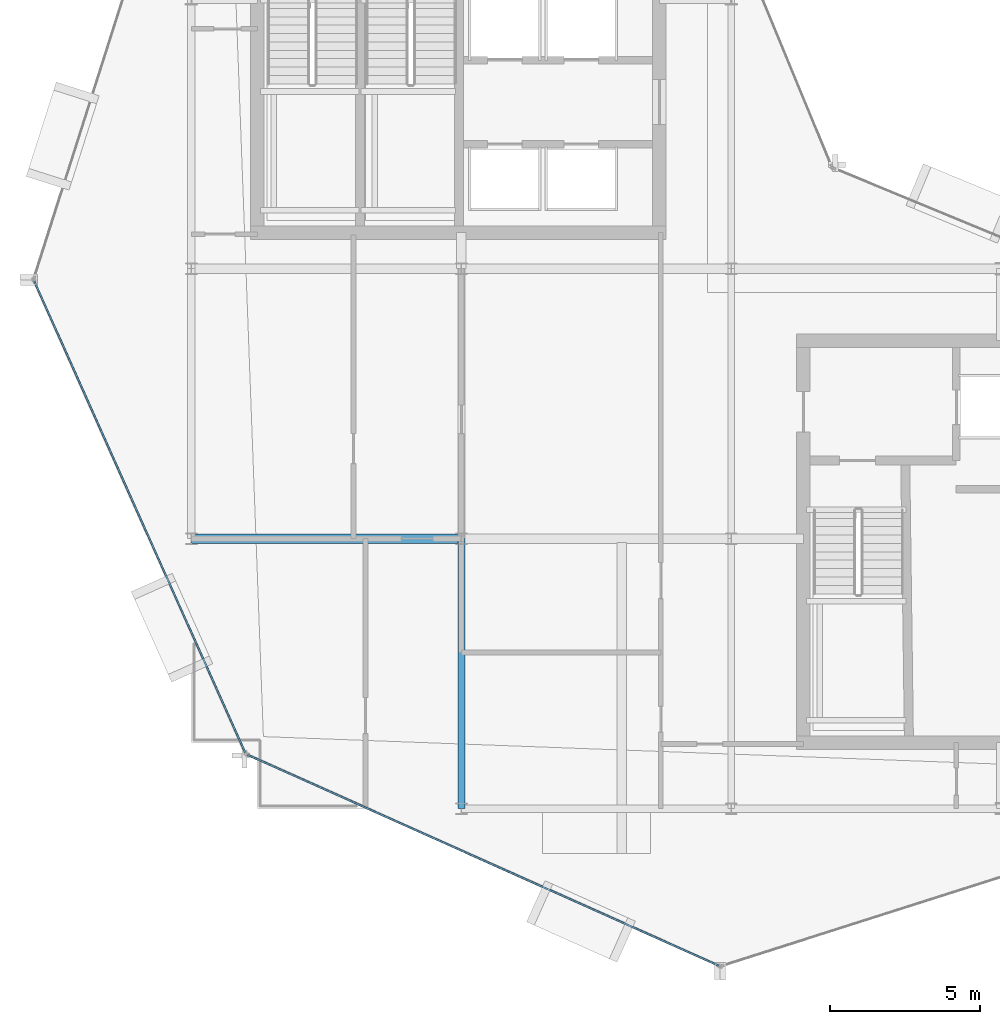
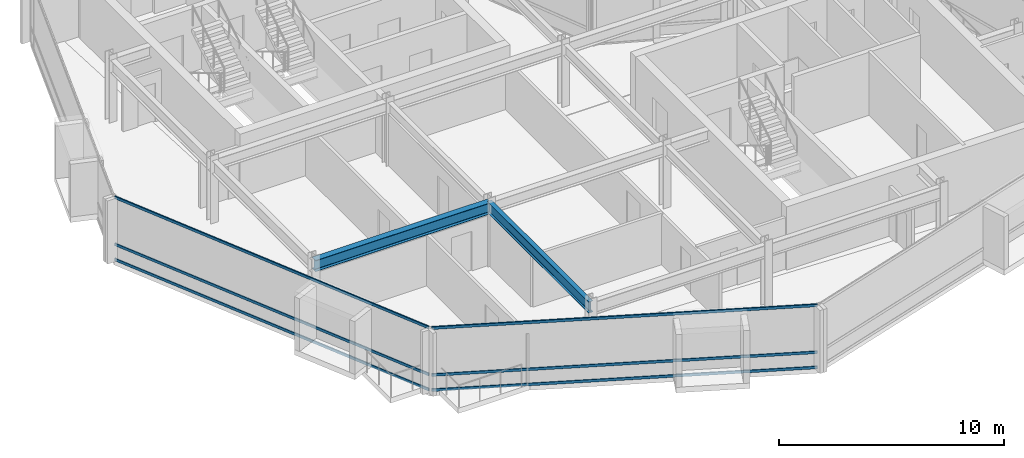
# One storey, part 3 of 19: 6 members, 2 beams, 2 elements without a shape of their own.
"""IFC4 building model written with IfcOpenShell, lengths in metres."""

from ifc_helpers import new_model, si_unit, direction, frame, origin, origin_2d, place, context, subcontext, project, spatial, hollow_rectangle, i_section, extrude, material, layer, layer_set, material_profile, profile_set, type_object, element, aggregate, save


model = new_model("IFC4")

# Units and contexts
model_context = context("Model", 3, precision=1e-05, world=origin(), true_north=direction((0.0, 1.0)))
body_context = subcontext(model_context, "Body", "Model", "MODEL_VIEW")
ifc_project = project(units=[si_unit("LENGTHUNIT", "METRE"), si_unit("AREAUNIT", "SQUARE_METRE"), si_unit("VOLUMEUNIT", "CUBIC_METRE"), si_unit("PLANEANGLEUNIT", "RADIAN"), si_unit("MASSUNIT", "GRAM", prefix="KILO")], contexts=[model_context])

# Site, building, storey
site_placement = place(None, origin())
site = spatial("IfcSite", under=ifc_project, at=site_placement, CompositionType="ELEMENT")
building_placement = place(site_placement, origin())
building = spatial("IfcBuilding", under=site, at=building_placement, Name="Solvaryn Broadcast Tower", CompositionType="ELEMENT")
storey_placement = place(building_placement, frame((0.0, 0.0, 251.89990234375)))
storey = spatial("IfcBuildingStorey", under=building, at=storey_placement, Name="L63", CompositionType="ELEMENT", Elevation=251.89990234375)

# Beams
ifc_material_1 = material(Name="Steel ASTM A992 Grade 50", Category="steel")
ifc_material_profile_1 = material_profile(ifc_material_1, i_section(OverallWidth=0.323974609375, OverallDepth=0.611083984375, WebThickness=0.0126953125, FlangeThickness=0.01904296875, FilletRadius=0.014892578125, at=origin_2d()))
ifc_profile_set_1 = profile_set([ifc_material_profile_1], Name="Steel ASTM A992 Grade 50")
beam_type_1 = type_object("IfcBeamType", Name="BM-B1-W24X104", PredefinedType="BEAM", material=ifc_profile_set_1)
beam_1_placement = place(storey_placement, frame((9.0, 18.0, 3.114501953125), z_axis=(1.0, 0.0, 0.0), x_axis=(0.0, 1.0, 0.0)))
element("IfcBeam", 1, at=beam_1_placement, inside=storey, type_object=beam_type_1, Name="L63 Primary Beam X (9-18 @ Y=18)", PredefinedType="BEAM", context=body_context, shape_type="SweptSolid", body=[
    extrude(i_section(OverallWidth=0.323974609375, OverallDepth=0.611083984375, WebThickness=0.0126953125, FlangeThickness=0.01904296875, FilletRadius=0.014892578125, at=origin_2d()), origin(), (0.0, 0.0, 1.0), 9.0),
])
ifc_material_2 = material(Name="Steel ASTM A992 Grade 50", Category="steel")
ifc_material_profile_2 = material_profile(ifc_material_2, i_section(OverallWidth=0.22802734375, OverallDepth=0.60791015625, WebThickness=0.01123046875, FlangeThickness=0.017333984375, FilletRadius=0.014892578125, at=origin_2d()))
ifc_profile_set_2 = profile_set([ifc_material_profile_2], Name="Steel ASTM A992 Grade 50")
beam_type_2 = type_object("IfcBeamType", Name="BM-B2-W24X76", PredefinedType="BEAM", material=ifc_profile_set_2)
beam_2_placement = place(storey_placement, frame((18.0, 9.0, 3.1162109375), z_axis=(0.0, 1.0, 0.0), x_axis=(-1.0, 0.0, 0.0)))
element("IfcBeam", 2, at=beam_2_placement, inside=storey, type_object=beam_type_2, Name="L63 Primary Beam Y (9-18 @ X=18)", PredefinedType="BEAM", context=body_context, shape_type="SweptSolid", body=[
    extrude(i_section(OverallWidth=0.22802734375, OverallDepth=0.60791015625, WebThickness=0.01123046875, FlangeThickness=0.017333984375, FilletRadius=0.014892578125, at=origin_2d()), origin(), (0.0, 0.0, 1.0), 9.0),
])

# Curtain wall, members
ifc_material_3 = material(Name="Aluminium and Terracotta Unitised Curtain Wall", Category="masonry")
ifc_layer = layer(ifc_material_3, 0.199951171875)
ifc_layer_set = layer_set([ifc_layer], Name="CW-SYS2-LOWMID")
curtain_wall_type = type_object("IfcCurtainWallType", Name="CW-SYS2-LOWMID", PredefinedType="NOTDEFINED", material=ifc_layer_set)
curtain_wall_1_placement = place(storey_placement, origin())
curtain_wall_1 = element("IfcCurtainWall", 3, at=curtain_wall_1_placement, inside=storey, type_object=curtain_wall_type, Name="L63 Curtain Wall DR2", PredefinedType="NOTDEFINED")
ifc_material_4 = material(Name="Anodised Aluminium 6063-T6", Category="aluminium")
ifc_material_profile_3 = material_profile(ifc_material_4, hollow_rectangle(XDim=0.06494140625, YDim=0.14990234375, WallThickness=0.00390625, InnerFilletRadius=0.00390625, OuterFilletRadius=0.008056640625, at=origin_2d()))
ifc_profile_set_3 = profile_set([ifc_material_profile_3], Name="Anodised Aluminium 6063-T6")
member_type = type_object("IfcMemberType", Name="CW-TRN-150", PredefinedType="USERDEFINED", material=ifc_profile_set_3)
member_1_placement = place(storey_placement, frame((3.762451171875, 26.581298828125, 0.030029296875), z_axis=(0.408468080937, -0.912772604133, 0.0), x_axis=(0.912772604133, 0.408468080937, 0.0)))
member_1 = element("IfcMember", 4, at=member_1_placement, type_object=member_type, Name="CWS2 transom 1.1", ObjectType="TRANSOM", PredefinedType="USERDEFINED", context=body_context, shape_type="SweptSolid", body=[
    extrude(hollow_rectangle(XDim=0.06494140625, YDim=0.14990234375, WallThickness=0.00390625, InnerFilletRadius=0.00390625, OuterFilletRadius=0.008056640625, at=origin_2d()), origin(), (0.0, 0.0, 1.0), 17.210693359375),
])
member_2_placement = place(storey_placement, frame((3.762451171875, 26.581298828125, 0.85009765625), z_axis=(0.408468080937, -0.912772604133, 0.0), x_axis=(0.912772604133, 0.408468080937, 0.0)))
member_2 = element("IfcMember", 5, at=member_2_placement, type_object=member_type, Name="CWS2 transom 1.2", ObjectType="TRANSOM", PredefinedType="USERDEFINED", context=body_context, shape_type="SweptSolid", body=[
    extrude(hollow_rectangle(XDim=0.06494140625, YDim=0.14990234375, WallThickness=0.00390625, InnerFilletRadius=0.00390625, OuterFilletRadius=0.008056640625, at=origin_2d()), origin(), (0.0, 0.0, 1.0), 17.210693359375),
])
member_3_placement = place(storey_placement, frame((3.762451171875, 26.581298828125, 3.39013671875), z_axis=(0.408468080937, -0.912772604133, 0.0), x_axis=(0.912772604133, 0.408468080937, 0.0)))
member_3 = element("IfcMember", 6, at=member_3_placement, type_object=member_type, Name="CWS2 transom 1.3", ObjectType="TRANSOM", PredefinedType="USERDEFINED", context=body_context, shape_type="SweptSolid", body=[
    extrude(hollow_rectangle(XDim=0.06494140625, YDim=0.14990234375, WallThickness=0.00390625, InnerFilletRadius=0.00390625, OuterFilletRadius=0.008056640625, at=origin_2d()), origin(), (0.0, 0.0, 1.0), 17.210693359375),
])
aggregate(curtain_wall_1, [member_1, member_2, member_3])

curtain_wall_2_placement = place(storey_placement, origin())
curtain_wall_2 = element("IfcCurtainWall", 7, at=curtain_wall_2_placement, inside=storey, type_object=curtain_wall_type, Name="L63 Curtain Wall DR3", PredefinedType="NOTDEFINED")
member_4_placement = place(storey_placement, frame((10.871826171875, 10.79248046875, 0.030029296875), z_axis=(0.912772604133, -0.408468080937, 0.0), x_axis=(0.408468080937, 0.912772604133, 0.0)))
member_4 = element("IfcMember", 8, at=member_4_placement, type_object=member_type, Name="CWS2 transom 1.1", ObjectType="TRANSOM", PredefinedType="USERDEFINED", context=body_context, shape_type="SweptSolid", body=[
    extrude(hollow_rectangle(XDim=0.06494140625, YDim=0.14990234375, WallThickness=0.00390625, InnerFilletRadius=0.00390625, OuterFilletRadius=0.008056640625, at=origin_2d()), origin(), (0.0, 0.0, 1.0), 17.210693359375),
])
member_5_placement = place(storey_placement, frame((10.871826171875, 10.79248046875, 0.85009765625), z_axis=(0.912772604133, -0.408468080937, 0.0), x_axis=(0.408468080937, 0.912772604133, 0.0)))
member_5 = element("IfcMember", 9, at=member_5_placement, type_object=member_type, Name="CWS2 transom 1.2", ObjectType="TRANSOM", PredefinedType="USERDEFINED", context=body_context, shape_type="SweptSolid", body=[
    extrude(hollow_rectangle(XDim=0.06494140625, YDim=0.14990234375, WallThickness=0.00390625, InnerFilletRadius=0.00390625, OuterFilletRadius=0.008056640625, at=origin_2d()), origin(), (0.0, 0.0, 1.0), 17.210693359375),
])
member_6_placement = place(storey_placement, frame((10.871826171875, 10.79248046875, 3.39013671875), z_axis=(0.912772604133, -0.408468080937, 0.0), x_axis=(0.408468080937, 0.912772604133, 0.0)))
member_6 = element("IfcMember", 10, at=member_6_placement, type_object=member_type, Name="CWS2 transom 1.3", ObjectType="TRANSOM", PredefinedType="USERDEFINED", context=body_context, shape_type="SweptSolid", body=[
    extrude(hollow_rectangle(XDim=0.06494140625, YDim=0.14990234375, WallThickness=0.00390625, InnerFilletRadius=0.00390625, OuterFilletRadius=0.008056640625, at=origin_2d()), origin(), (0.0, 0.0, 1.0), 17.210693359375),
])
aggregate(curtain_wall_2, [member_4, member_5, member_6])

save(model, "model.ifc")
